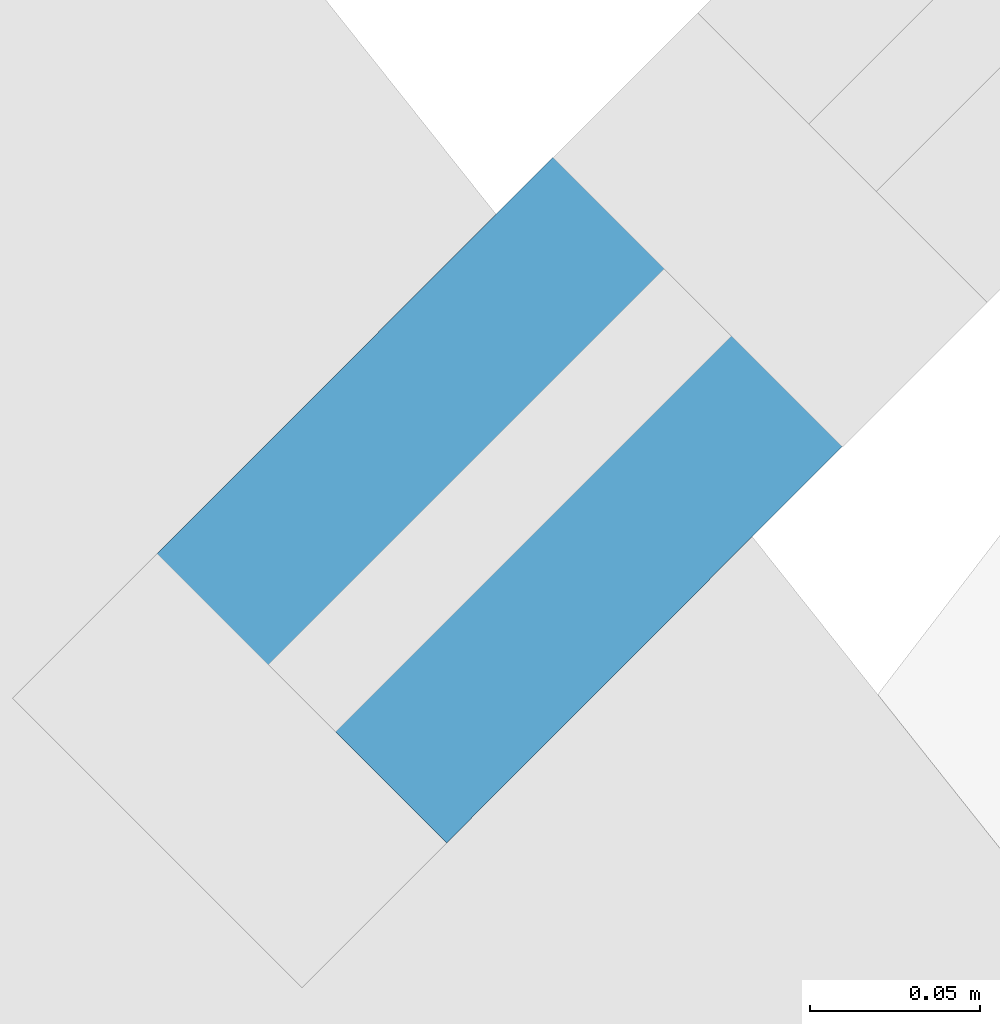
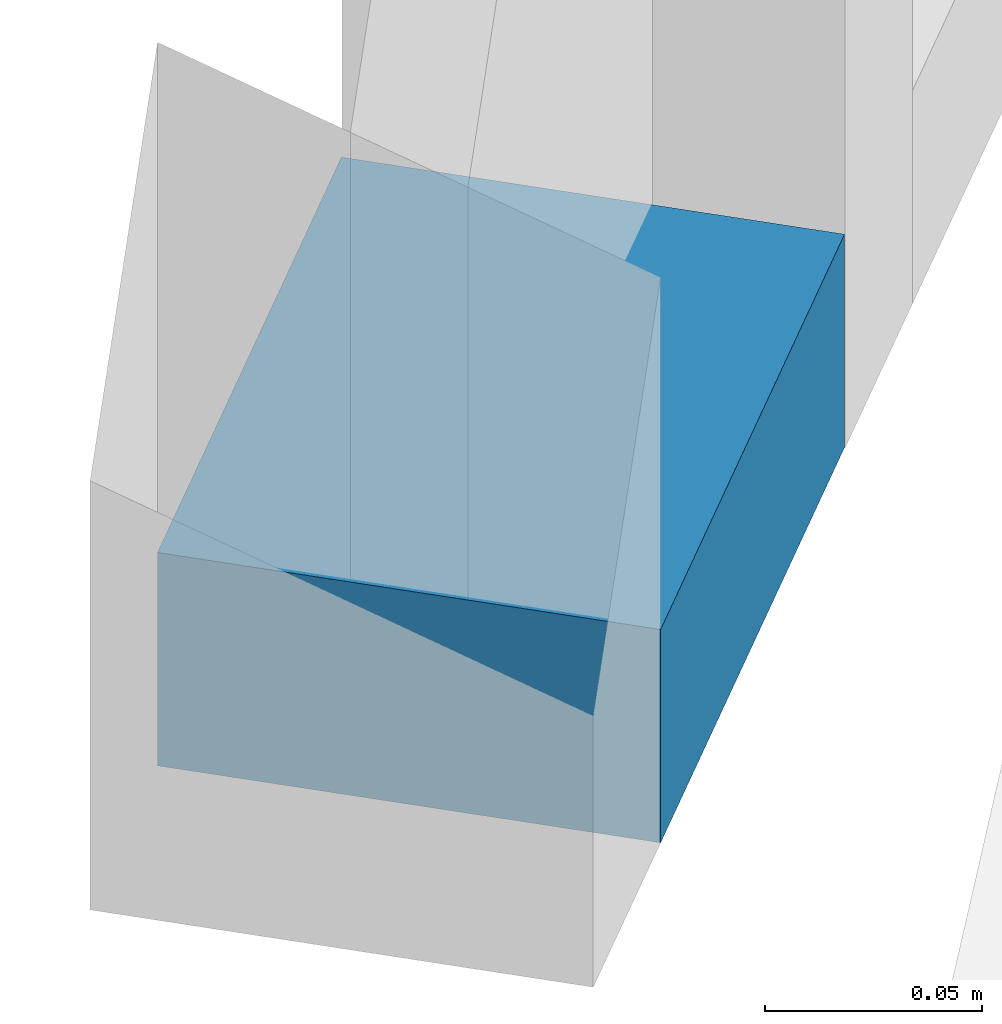
# One storey, part 16 of 33: 1 member, 1 element without a shape of its own.
"""IFC4 building model written with IfcOpenShell, lengths in metres."""

from ifc_helpers import new_model, si_unit, direction, frame, origin, origin_2d, place, context, subcontext, project, spatial, rectangle, extrude, material, layer, layer_set, material_profile, profile_set, type_object, element, aggregate, save


model = new_model("IFC4")

# Units and contexts
model_context = context("Model", 3, precision=1e-05, world=origin(), true_north=direction((0.0, 1.0)))
body_context = subcontext(model_context, "Body", "Model", "MODEL_VIEW")
ifc_project = project(units=[si_unit("LENGTHUNIT", "METRE"), si_unit("AREAUNIT", "SQUARE_METRE"), si_unit("VOLUMEUNIT", "CUBIC_METRE"), si_unit("PLANEANGLEUNIT", "RADIAN"), si_unit("MASSUNIT", "GRAM", prefix="KILO")], contexts=[model_context])

# Site, building, storey
site_placement = place(None, origin())
site = spatial("IfcSite", under=ifc_project, at=site_placement, CompositionType="ELEMENT")
building_placement = place(site_placement, origin())
building = spatial("IfcBuilding", under=site, at=building_placement, Name="Marenta Gate Hotel Tower", CompositionType="ELEMENT")
storey_placement = place(building_placement, frame((0.0, 0.0, 122.89990234375)))
storey = spatial("IfcBuildingStorey", under=building, at=storey_placement, Name="L27", CompositionType="ELEMENT", Elevation=122.89990234375)

# Curtain wall, member
ifc_material_1 = material(Name="Tinted insulated glass in bronze anodised frame", Category="glass")
ifc_layer = layer(ifc_material_1, 0.1201171875)
ifc_layer_set = layer_set([ifc_layer], Name="Tinted insulated glass in bronze anodised frame")
curtain_wall_type = type_object("IfcCurtainWallType", Name="Tower unitised curtain wall CW1", PredefinedType="NOTDEFINED", material=ifc_layer_set)
curtain_wall_placement = place(storey_placement, origin())
curtain_wall = element("IfcCurtainWall", 1, at=curtain_wall_placement, inside=storey, type_object=curtain_wall_type, Name="CW1 run G02", PredefinedType="NOTDEFINED")
ifc_material_2 = material(Name="Bronze anodised aluminium", Category="aluminium")
ifc_material_profile = material_profile(ifc_material_2, rectangle(XDim=0.1201171875, YDim=0.06005859375, at=origin_2d()), Name="Transom CW1 60x120 bronze anodised aluminium")
ifc_profile_set = profile_set([ifc_material_profile], Name="Bronze anodised aluminium")
member_type = type_object("IfcMemberType", Name="Transom CW1 60x120 bronze anodised aluminium", PredefinedType="USERDEFINED", material=ifc_profile_set)
member_placement = place(storey_placement, frame((-26.013671875, 25.977294921875, 0.030029296875), z_axis=(-0.706364412476, -0.707848371325, 0.0), x_axis=(0.707848371325, -0.706364412476, 0.0)))
member = element("IfcMember", 2, at=member_placement, type_object=member_type, Name="CW1 transom 1.1", ObjectType="TRANSOM", PredefinedType="USERDEFINED", context=body_context, shape_type="SweptSolid", body=[
    extrude(rectangle(XDim=0.1201171875, YDim=0.06005859375, at=origin_2d()), origin(), (0.0, 0.0, 1.0), 0.16455078125),
])
aggregate(curtain_wall, [member])

save(model, "model.ifc")
